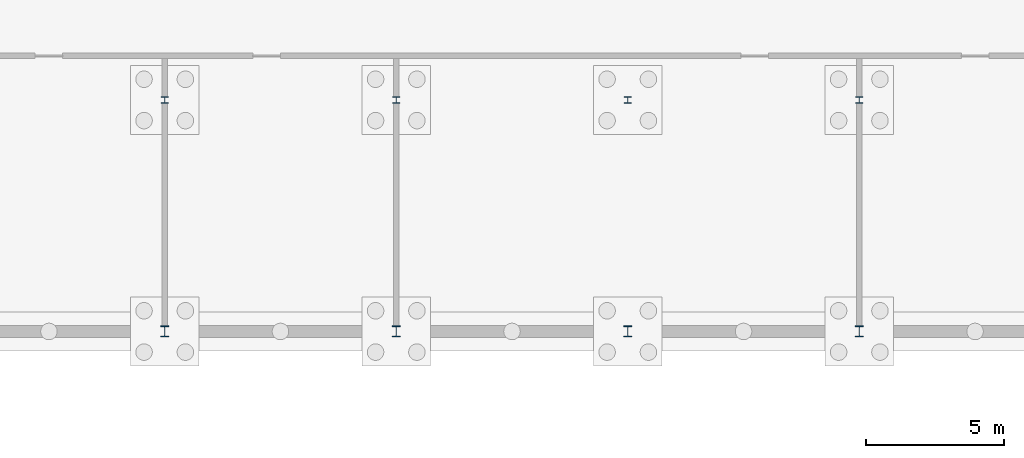
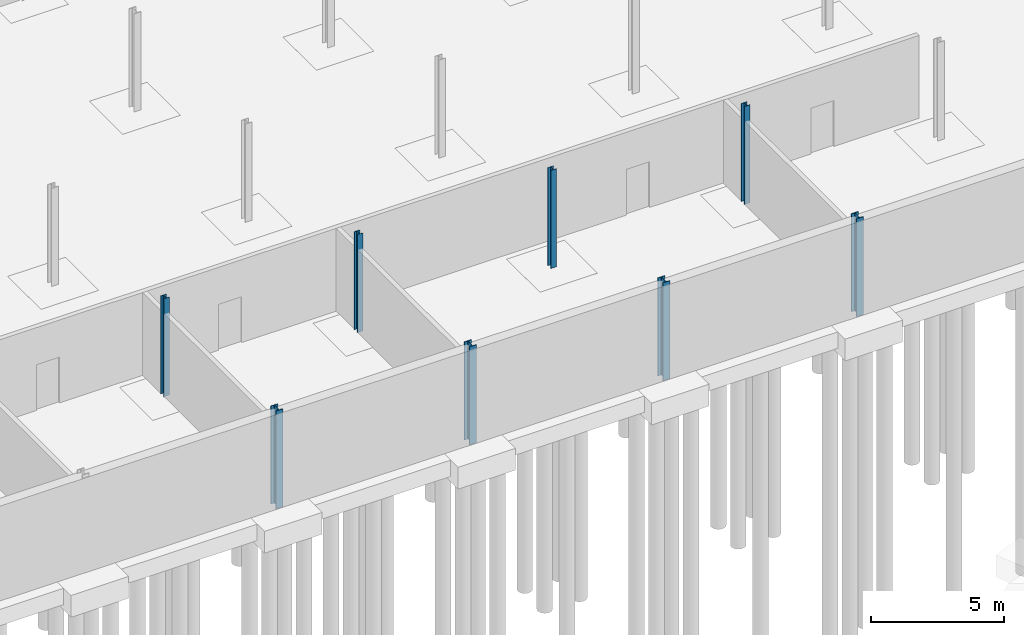
# One storey, part 9 of 35: 8 columns.
"""IFC4 building model written with IfcOpenShell, lengths in metres."""

from ifc_helpers import new_model, si_unit, direction, frame, origin, origin_2d, place, context, subcontext, project, spatial, i_section, extrude, material, material_profile, profile_set, type_object, element, save


model = new_model("IFC4")

# Units and contexts
model_context = context("Model", 3, precision=1e-05, world=origin(), true_north=direction((0.0, 1.0)))
body_context = subcontext(model_context, "Body", "Model", "MODEL_VIEW")
ifc_project = project(units=[si_unit("LENGTHUNIT", "METRE"), si_unit("AREAUNIT", "SQUARE_METRE"), si_unit("VOLUMEUNIT", "CUBIC_METRE"), si_unit("PLANEANGLEUNIT", "RADIAN"), si_unit("MASSUNIT", "GRAM", prefix="KILO")], contexts=[model_context])

# Site, building, storey
site_placement = place(None, origin())
site = spatial("IfcSite", under=ifc_project, at=site_placement, CompositionType="ELEMENT")
building_placement = place(site_placement, origin())
building = spatial("IfcBuilding", under=site, at=building_placement, Name="Ardhachandra Cancer Care Centre", CompositionType="ELEMENT")
storey_placement = place(building_placement, frame((0.0, 0.0, -4.5)))
storey = spatial("IfcBuildingStorey", under=building, at=storey_placement, Name="B1", CompositionType="ELEMENT", Elevation=-4.5)

# Columns
ifc_material_1 = material(Name="Steel E350 (IS 2062)", Category="steel")
ifc_material_profile_1 = material_profile(ifc_material_1, i_section(OverallWidth=0.239990234375, OverallDepth=0.239990234375, WebThickness=0.010009765625, FlangeThickness=0.01708984375, FilletRadius=0.02099609375, at=origin_2d()), Name="WPB 240x240x83.20")
ifc_profile_set_1 = profile_set([ifc_material_profile_1], Name="Steel E350 (IS 2062)")
column_type_1 = type_object("IfcColumnType", Name="Column WPB 240x240x83.20", PredefinedType="COLUMN", material=ifc_profile_set_1)
for number, where, z_axis, x_axis, name in (
    (1, (78.0, 63.0, 0.0), (0.0, 0.0, 1.0), (1.0, 0.0, 0.0), "Column G9 B1"),
    (2, (86.39990234375, 63.0, 0.0), (0.0, 0.0, 1.0), (1.0, 0.0, 0.0), "Column G10 B1"),
    (3, (94.800048828125, 63.0, 0.0), (0.0, 0.0, 1.0), (1.0, 0.0, 0.0), "Column G11 B1"),
    (4, (103.199951171875, 63.0, 0.0), (0.0, 0.0, 1.0), (1.0, 0.0, 0.0), "Column G12 B1"),
):
    element("IfcColumn", number, at=place(storey_placement, frame(where, z_axis=z_axis, x_axis=x_axis)), inside=storey, type_object=column_type_1, Name=name, PredefinedType="COLUMN", context=body_context, shape_type="SweptSolid", body=[
        extrude(i_section(OverallWidth=0.239990234375, OverallDepth=0.239990234375, WebThickness=0.010009765625, FlangeThickness=0.01708984375, FilletRadius=0.02099609375, at=origin_2d()), origin(), (0.0, 0.0, 1.0), 4.5),
    ])
ifc_material_2 = material(Name="Steel E350 (IS 2062)", Category="steel")
ifc_material_profile_2 = material_profile(ifc_material_2, i_section(OverallWidth=0.300048828125, OverallDepth=0.39990234375, WebThickness=0.013427734375, FlangeThickness=0.02392578125, FilletRadius=0.027099609375, at=origin_2d()), Name="WPB 400x300x155.26")
ifc_profile_set_2 = profile_set([ifc_material_profile_2], Name="Steel E350 (IS 2062)")
column_type_2 = type_object("IfcColumnType", Name="Column WPB 400x300x155.26", PredefinedType="COLUMN", material=ifc_profile_set_2)
for number, where, z_axis, x_axis, name in (
    (5, (78.0, 54.60009765625, 0.0), (0.0, 0.0, 1.0), (1.0, 0.0, 0.0), "Column F9 B1"),
    (6, (86.39990234375, 54.60009765625, 0.0), (0.0, 0.0, 1.0), (1.0, 0.0, 0.0), "Column F10 B1"),
    (7, (94.800048828125, 54.60009765625, 0.0), (0.0, 0.0, 1.0), (1.0, 0.0, 0.0), "Column F11 B1"),
    (8, (103.199951171875, 54.60009765625, 0.0), (0.0, 0.0, 1.0), (1.0, 0.0, 0.0), "Column F12 B1"),
):
    element("IfcColumn", number, at=place(storey_placement, frame(where, z_axis=z_axis, x_axis=x_axis)), inside=storey, type_object=column_type_2, Name=name, PredefinedType="COLUMN", context=body_context, shape_type="SweptSolid", body=[
        extrude(i_section(OverallWidth=0.300048828125, OverallDepth=0.39990234375, WebThickness=0.013427734375, FlangeThickness=0.02392578125, FilletRadius=0.027099609375, at=origin_2d()), origin(), (0.0, 0.0, 1.0), 4.5),
    ])

save(model, "model.ifc")
